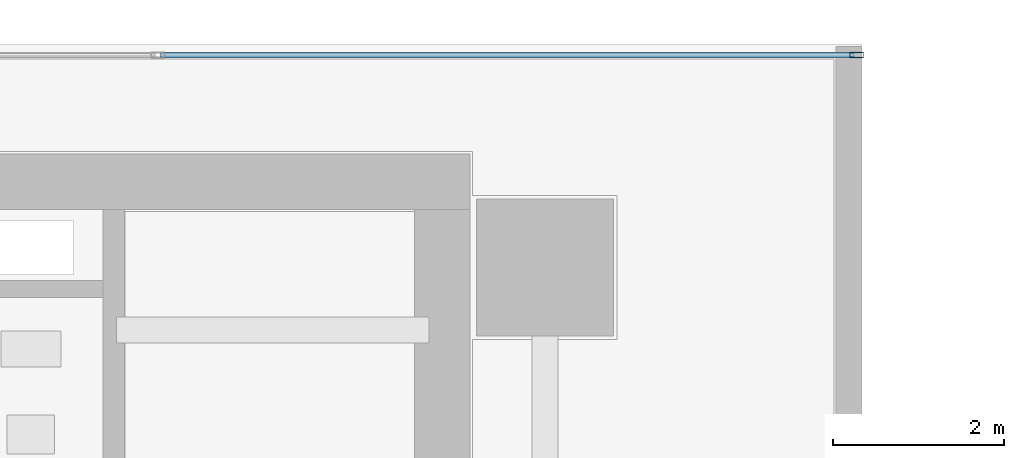
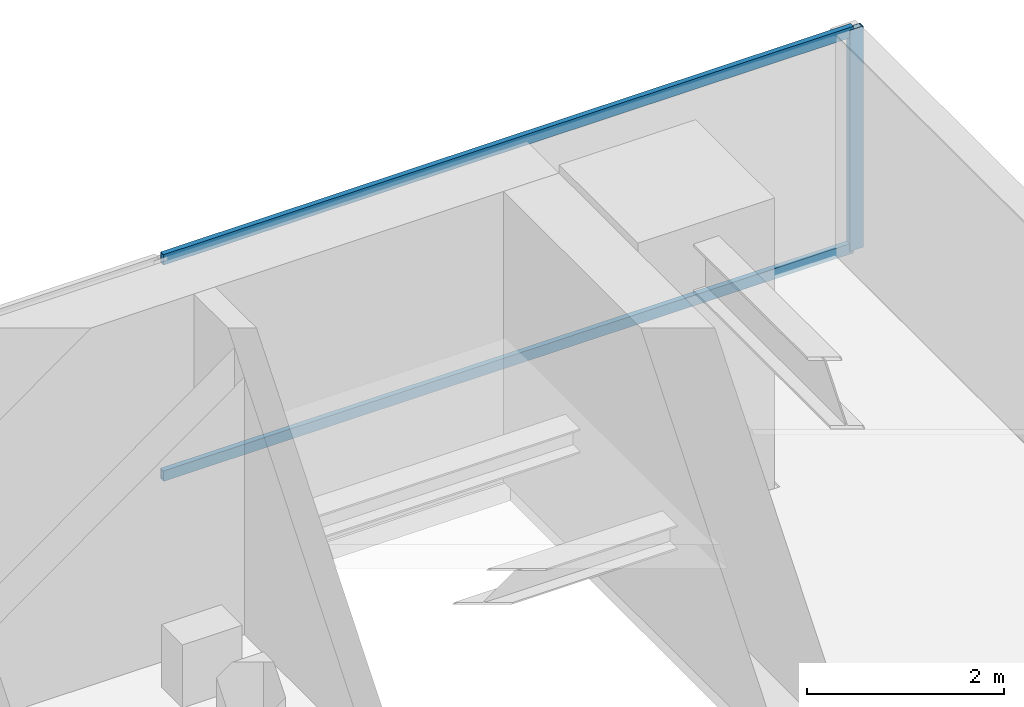
# One storey, part 26 of 37: 3 members, 1 element without a shape of its own.
"""IFC4 building model written with IfcOpenShell, lengths in metres."""

import ifcopenshell
import ifcopenshell.guid

model = None  # the IFC model being written
_history = None  # IfcOwnerHistory: only IFC2X3 demands one
_inside = {}  # id of a spatial element -> (the spatial element, [elements in it])
_under = {}  # id of a project, library or spatial element -> (it, [spatial elements below it])
_declared = {}  # id of a project -> (the project, [libraries it declares])
_typed = {}  # id of a type object -> (the type object, [elements of that type])
_made_of = {}  # id of a material, layer set ... -> (it, [elements and type objects made of it])


def new_model(schema):
    """Start an empty IFC model of exactly this schema.

    Asked for "IFC4X3", IfcOpenShell would pick the latest addendum, in which some entities
    have other attributes; the version numbers below select the first issue.
    IFC2X3 requires an IfcOwnerHistory on every rooted entity: one is made here for all.
    """
    global model, _history
    if schema == "IFC4X3":
        model = ifcopenshell.file(schema_version=(4, 3, 0, 0))
    else:
        model = ifcopenshell.file(schema=schema)
    _inside.clear()
    _under.clear()
    _declared.clear()
    _typed.clear()
    _made_of.clear()
    _history = None
    if model.schema == "IFC2X3":
        org = make("IfcOrganization", Name="unknown")
        user = make(
            "IfcPersonAndOrganization",
            ThePerson=make("IfcPerson", FamilyName="unknown"),
            TheOrganization=org,
        )
        app = make(
            "IfcApplication",
            ApplicationDeveloper=org,
            Version="unknown",
            ApplicationFullName="unknown",
            ApplicationIdentifier="unknown",
        )
        _history = make(
            "IfcOwnerHistory",
            OwningUser=user,
            OwningApplication=app,
            ChangeAction="ADDED",
            CreationDate=0,
        )
    return model


def make(cls, **values):
    """One entity of the class cls with the attributes given. An attribute that is None is left unset."""
    return model.create_entity(
        cls, **{name: value for name, value in values.items() if value is not None}
    )


def rooted(cls, **values):
    """An entity with a GlobalId (a new one), such as an element, a storey or a relation."""
    return make(cls, GlobalId=ifcopenshell.guid.new(), OwnerHistory=_history, **values)


def si_unit(unit_type, name, prefix=None):
    """IfcSIUnit, for example si_unit("LENGTHUNIT", "METRE", prefix="MILLI")."""
    return make("IfcSIUnit", UnitType=unit_type, Prefix=prefix, Name=name)


def assignment(units):
    """IfcUnitAssignment: the units of a project."""
    return None if units is None else make("IfcUnitAssignment", Units=units)


def point(xyz):
    """IfcCartesianPoint."""
    return None if xyz is None else make("IfcCartesianPoint", Coordinates=xyz)


def direction(xyz):
    """IfcDirection."""
    return None if xyz is None else make("IfcDirection", DirectionRatios=xyz)


def frame(location, z_axis=None, x_axis=None):
    """IfcAxis2Placement3D, a coordinate frame: its origin and axes. An axis left out is left unset."""
    return make(
        "IfcAxis2Placement3D",
        Location=point(location),
        Axis=direction(z_axis),
        RefDirection=direction(x_axis),
    )


def frame_2d(location, x_axis=None):
    """IfcAxis2Placement2D, a coordinate frame in the plane: its origin and x axis."""
    return make(
        "IfcAxis2Placement2D", Location=point(location), RefDirection=direction(x_axis)
    )


def origin():
    """The frame at (0, 0, 0) with its axes left unset."""
    return frame((0.0, 0.0, 0.0))


def origin_2d():
    """The frame at (0, 0) in the plane with its x axis left unset."""
    return frame_2d((0.0, 0.0))


def place(relative_to, where):
    """IfcLocalPlacement: puts the frame where relative to a parent placement (None: the world)."""
    return make(
        "IfcLocalPlacement", PlacementRelTo=relative_to, RelativePlacement=where
    )


def context(
    kind, dimensions, precision=None, world=None, true_north=None, identifier=None
):
    """IfcGeometricRepresentationContext, for example the 3D "Model" context."""
    return make(
        "IfcGeometricRepresentationContext",
        ContextIdentifier=identifier,
        ContextType=kind,
        CoordinateSpaceDimension=dimensions,
        Precision=precision,
        WorldCoordinateSystem=world,
        TrueNorth=true_north,
    )


def subcontext(parent, identifier, kind, view, scale=None):
    """IfcGeometricRepresentationSubContext, for example "Body" below "Model"."""
    return make(
        "IfcGeometricRepresentationSubContext",
        ContextIdentifier=identifier,
        ContextType=kind,
        ParentContext=parent,
        TargetScale=scale,
        TargetView=view,
    )


def project(units=None, contexts=None):
    """IfcProject with its units and contexts."""
    return rooted(
        "IfcProject",
        Name="project",
        RepresentationContexts=contexts,
        UnitsInContext=assignment(units),
    )


def spatial(cls, under=None, at=None, **own):
    """A site, building, storey or space (cls), placed at a placement, below another one or the project."""
    s = rooted(cls, ObjectPlacement=at, **own)
    if under is not None:
        _under.setdefault(under.id(), (under, []))[1].append(s)
    return s


def profile(cls, at=None, kind="AREA", **sizes):
    """A parametric profile (cls). Its sizes go by their IFC names, for example OverallWidth=200.0."""
    return make(cls, ProfileType=kind, Position=at, **sizes)


def hollow_rectangle(**sizes):
    """IfcRectangleHollowProfileDef."""
    return profile("IfcRectangleHollowProfileDef", **sizes)


def extrude(swept, where, along, depth):
    """IfcExtrudedAreaSolid: the profile swept, set in the frame where, extruded along a direction by depth."""
    return make(
        "IfcExtrudedAreaSolid",
        SweptArea=swept,
        Position=where,
        ExtrudedDirection=direction(along),
        Depth=depth,
    )


def shape(context_of_items, identifier, shape_type, items):
    """IfcShapeRepresentation: the items that make up one representation, for example the "Body"."""
    return make(
        "IfcShapeRepresentation",
        ContextOfItems=context_of_items,
        RepresentationIdentifier=identifier,
        RepresentationType=shape_type,
        Items=items,
    )


def source(mapping_origin, context_of_items, identifier, shape_type, items):
    """IfcRepresentationMap: a shape defined once, which mapped items show again and again."""
    return make(
        "IfcRepresentationMap",
        MappingOrigin=mapping_origin,
        MappedRepresentation=shape(context_of_items, identifier, shape_type, items),
    )


def transform(
    local_origin,
    x_axis=None,
    y_axis=None,
    z_axis=None,
    scale=None,
    scale2=None,
    scale3=None,
    uniform=True,
):
    """IfcCartesianTransformationOperator3D, or its non-uniform kind. x_axis, y_axis, z_axis: its Axis1, 2, 3."""
    if uniform:
        return make(
            "IfcCartesianTransformationOperator3D",
            Axis1=direction(x_axis),
            Axis2=direction(y_axis),
            LocalOrigin=point(local_origin),
            Scale=scale,
            Axis3=direction(z_axis),
        )
    return make(
        "IfcCartesianTransformationOperator3DnonUniform",
        Axis1=direction(x_axis),
        Axis2=direction(y_axis),
        LocalOrigin=point(local_origin),
        Scale=scale,
        Axis3=direction(z_axis),
        Scale2=scale2,
        Scale3=scale3,
    )


def mapped(mapping_source, mapping_target):
    """IfcMappedItem: shows the shape of a source again, moved by a transform."""
    return make(
        "IfcMappedItem", MappingSource=mapping_source, MappingTarget=mapping_target
    )


def material(Name=None, Category=None):
    """IfcMaterial."""
    return make("IfcMaterial", Name=Name, Category=Category)


def layer(
    of_material, thickness, ventilated=None, Name=None, Category=None, Priority=None
):
    """IfcMaterialLayer: one layer of a wall or slab, of a material (None: an air gap)."""
    return make(
        "IfcMaterialLayer",
        Material=of_material,
        LayerThickness=thickness,
        IsVentilated=ventilated,
        Name=Name,
        Category=Category,
        Priority=Priority,
    )


def layer_set(layers, Name=None):
    """IfcMaterialLayerSet."""
    return make("IfcMaterialLayerSet", MaterialLayers=layers, LayerSetName=Name)


def material_profile(
    of_material, cross_section, Name=None, Category=None, Priority=None
):
    """IfcMaterialProfile: a cross section and its material."""
    return make(
        "IfcMaterialProfile",
        Name=Name,
        Material=of_material,
        Profile=cross_section,
        Priority=Priority,
        Category=Category,
    )


def profile_set(profiles, Name=None, composite=None):
    """IfcMaterialProfileSet."""
    return make(
        "IfcMaterialProfileSet",
        Name=Name,
        MaterialProfiles=profiles,
        CompositeProfile=composite,
    )


def made_of(thing, what):
    """Note that an element or type object is made of a material, layer set ...; save() writes the relation."""
    if what is not None:
        _made_of.setdefault(what.id(), (what, []))[1].append(thing)
    return thing


def type_object(cls, material=None, **own):
    """A type object (cls), such as IfcWallType, which elements share."""
    return made_of(rooted(cls, **own), material)


def element(
    cls,
    number,
    at=None,
    inside=None,
    cuts=None,
    type_object=None,
    material=None,
    context=None,
    identifier="Body",
    shape_type=None,
    held_by="IfcProductDefinitionShape",
    body=None,
    shapes=None,
    **own,
):
    """One element of the class cls, such as IfcWall. Its Tag is "e" and its number.

    at: its placement. inside: the storey or other place that contains it. cuts: it is an
    opening in that element (IfcRelVoidsElement). A single representation is given by context,
    identifier, shape_type and body (its items); several are given by shapes. held_by: the class
    of the entity that holds the representations. save() writes the other relations.
    """
    e = rooted(cls, Tag="e%d" % number, ObjectPlacement=at, **own)
    if body is not None:
        shapes = [shape(context, identifier, shape_type, body)]
    if shapes is not None:
        e.Representation = make(held_by, Representations=shapes)
    if inside is not None:
        _inside.setdefault(inside.id(), (inside, []))[1].append(e)
    if cuts is not None:
        rooted(
            "IfcRelVoidsElement", RelatingBuildingElement=cuts, RelatedOpeningElement=e
        )
    if type_object is not None:
        _typed.setdefault(type_object.id(), (type_object, []))[1].append(e)
    return made_of(e, material)


def aggregate(whole, parts):
    """IfcRelAggregates: a whole, such as a stair, and the parts it consists of."""
    return rooted("IfcRelAggregates", RelatingObject=whole, RelatedObjects=parts)


def save(model, path):
    """Write the relations noted so far, then the file.

    IfcRelAggregates (storeys below a building ...), IfcRelContainedInSpatialStructure (elements
    in a storey), IfcRelDefinesByType, IfcRelAssociatesMaterial and IfcRelDeclares: one each for
    every whole, place, type object, material and project.
    """
    for whole, parts in _under.values():
        aggregate(whole, parts)
    for where, things in _inside.values():
        rooted(
            "IfcRelContainedInSpatialStructure",
            RelatedElements=things,
            RelatingStructure=where,
        )
    for kind, things in _typed.values():
        rooted("IfcRelDefinesByType", RelatedObjects=things, RelatingType=kind)
    for what, things in _made_of.values():
        rooted("IfcRelAssociatesMaterial", RelatedObjects=things, RelatingMaterial=what)
    for by, libraries in _declared.values():
        rooted("IfcRelDeclares", RelatingContext=by, RelatedDefinitions=libraries)
    model.write(path)


model = new_model("IFC4")

# Units and contexts
model_context = context("Model", 3, precision=1e-05, world=origin(), true_north=direction((0.0, 1.0)))
body_context = subcontext(model_context, "Body", "Model", "MODEL_VIEW")
ifc_project = project(units=[si_unit("LENGTHUNIT", "METRE"), si_unit("AREAUNIT", "SQUARE_METRE"), si_unit("VOLUMEUNIT", "CUBIC_METRE"), si_unit("PLANEANGLEUNIT", "RADIAN"), si_unit("MASSUNIT", "GRAM", prefix="KILO")], contexts=[model_context])

# Site, building, storey
site_placement = place(None, origin())
site = spatial("IfcSite", under=ifc_project, at=site_placement, CompositionType="ELEMENT")
building_placement = place(site_placement, origin())
building = spatial("IfcBuilding", under=site, at=building_placement, Name="Sumidabori Civic Tower", CompositionType="ELEMENT")
storey_placement = place(building_placement, frame((0.0, 0.0, 117.199951171875)))
storey = spatial("IfcBuildingStorey", under=building, at=storey_placement, Name="L30", CompositionType="ELEMENT", Elevation=117.199951171875)

# Curtain wall, members
ifc_material = material(Name="Anodised Bronze Aluminium AW-6063-T6", Category="aluminium")
ifc_layer = layer(ifc_material, 0.179931640625, Name="Anodised Bronze Aluminium AW-6063-T6")
ifc_layer_set = layer_set([ifc_layer], Name="Anodised Bronze Aluminium AW-6063-T6")
curtain_wall_type = type_object("IfcCurtainWallType", Name="CW-SYS-3", PredefinedType="NOTDEFINED", material=ifc_layer_set)
curtain_wall_placement = place(storey_placement, origin())
curtain_wall = element("IfcCurtainWall", 1, at=curtain_wall_placement, inside=storey, type_object=curtain_wall_type, Name="Curtain Wall CW:L30:R07", PredefinedType="NOTDEFINED")
ifc_material_profile_1 = material_profile(ifc_material, hollow_rectangle(XDim=0.06494140625, YDim=0.159912109375, WallThickness=0.0048828125, at=origin_2d()), Name="ALU MULLION 160x65")
ifc_profile_set_1 = profile_set([ifc_material_profile_1], Name="Anodised Bronze Aluminium AW-6063-T6")
member_type_1 = type_object("IfcMemberType", Name="CW-MUL-160", PredefinedType="MULLION", material=ifc_profile_set_1)
shared_shape_1 = source(origin(), body_context, "Body", "SweptSolid", [
    extrude(hollow_rectangle(XDim=0.06494140625, YDim=0.159912109375, WallThickness=0.0048828125, at=origin_2d()), origin(), (0.0, 0.0, 1.0), 2.739990234375),
])
member_1_placement = place(storey_placement, frame((20.4375, 25.280029296875, 0.0), z_axis=(0.0, 0.0, 1.0), x_axis=(0.0, -1.0, 0.0)))
member_1 = element("IfcMember", 2, at=member_1_placement, type_object=member_type_1, Name="CW-3 mullion 1", PredefinedType="MULLION", context=body_context, shape_type="MappedRepresentation", body=[
    mapped(shared_shape_1, transform((0.0, 0.0, 0.0), x_axis=(1.0, 0.0, 0.0), y_axis=(0.0, 1.0, 0.0), z_axis=(0.0, 0.0, 1.0), scale=1.0)),
])
ifc_material_profile_2 = material_profile(ifc_material, hollow_rectangle(XDim=0.06005859375, YDim=0.1298828125, WallThickness=0.0048828125, at=origin_2d()), Name="ALU TRANSOM 130x60")
ifc_profile_set_2 = profile_set([ifc_material_profile_2], Name="Anodised Bronze Aluminium AW-6063-T6")
member_type_2 = type_object("IfcMemberType", Name="CW-TRN-130", PredefinedType="USERDEFINED", material=ifc_profile_set_2)
shared_shape_2 = source(origin(), body_context, "Body", "SweptSolid", [
    extrude(hollow_rectangle(XDim=0.06005859375, YDim=0.1298828125, WallThickness=0.0048828125, at=origin_2d()), origin(), (0.0, 0.0, 1.0), 8.090576171875),
])
member_2_placement = place(storey_placement, frame((20.405029296875, 25.280029296875, 0.030029296875), z_axis=(-1.0, 0.0, 0.0), x_axis=(0.0, -1.0, 0.0)))
member_2 = element("IfcMember", 3, at=member_2_placement, type_object=member_type_2, Name="CW-3 transom 1.1", ObjectType="TRANSOM", PredefinedType="USERDEFINED", context=body_context, shape_type="MappedRepresentation", body=[
    mapped(shared_shape_2, transform((0.0, 0.0, 0.0), x_axis=(1.0, 0.0, 0.0), y_axis=(0.0, 1.0, 0.0), z_axis=(0.0, 0.0, 1.0), scale=1.0)),
])
member_3_placement = place(storey_placement, frame((20.405029296875, 25.280029296875, 2.7099609375), z_axis=(-1.0, 0.0, 0.0), x_axis=(0.0, -1.0, 0.0)))
member_3 = element("IfcMember", 4, at=member_3_placement, type_object=member_type_2, Name="CW-3 transom 1.2", ObjectType="TRANSOM", PredefinedType="USERDEFINED", context=body_context, shape_type="MappedRepresentation", body=[
    mapped(shared_shape_2, transform((0.0, 0.0, 0.0), x_axis=(1.0, 0.0, 0.0), y_axis=(0.0, 1.0, 0.0), z_axis=(0.0, 0.0, 1.0), scale=1.0)),
])
aggregate(curtain_wall, [member_1, member_2, member_3])

save(model, "model.ifc")
